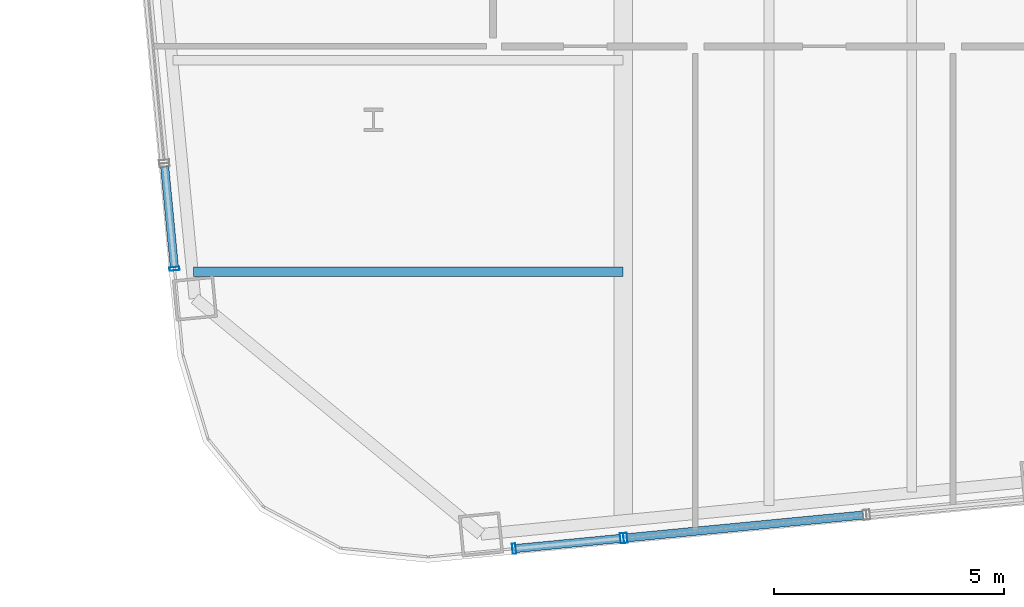
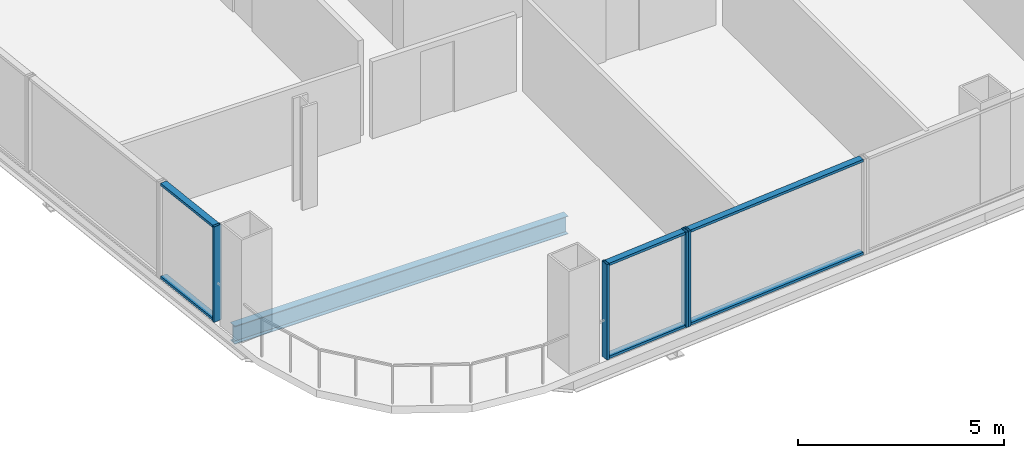
# One storey, part 2 of 27: 10 members, 1 beam, 3 elements without a shape of their own.
"""IFC4 building model written with IfcOpenShell, lengths in metres."""

from ifc_helpers import new_model, si_unit, direction, frame, origin, origin_2d, place, context, subcontext, project, spatial, hollow_rectangle, i_section, extrude, material, layer, layer_set, material_profile, profile_set, type_object, element, aggregate, save


model = new_model("IFC4")

# Units and contexts
model_context = context("Model", 3, precision=1e-05, world=origin(), true_north=direction((0.0, 1.0)))
body_context = subcontext(model_context, "Body", "Model", "MODEL_VIEW")
ifc_project = project(units=[si_unit("LENGTHUNIT", "METRE"), si_unit("AREAUNIT", "SQUARE_METRE"), si_unit("VOLUMEUNIT", "CUBIC_METRE"), si_unit("PLANEANGLEUNIT", "RADIAN"), si_unit("MASSUNIT", "GRAM", prefix="KILO")], contexts=[model_context])

# Site, building, storey
site_placement = place(None, origin())
site = spatial("IfcSite", under=ifc_project, at=site_placement, CompositionType="ELEMENT")
building_placement = place(site_placement, origin())
building = spatial("IfcBuilding", under=site, at=building_placement, Name="Qhalaya Broadcast Tower", CompositionType="ELEMENT")
storey_placement = place(building_placement, frame((0.0, 0.0, 84.699951171875)))
storey = spatial("IfcBuildingStorey", under=building, at=storey_placement, Name="L24", CompositionType="ELEMENT", Elevation=84.699951171875)

# Beam
ifc_material_1 = material(Name="Structural Steel ASTM A992 Grade 50", Category="steel")
ifc_material_profile_1 = material_profile(ifc_material_1, i_section(OverallWidth=0.2099609375, OverallDepth=0.535888671875, WebThickness=0.010986328125, FlangeThickness=0.017333984375, at=origin_2d()), Name="W21X68")
ifc_profile_set_1 = profile_set([ifc_material_profile_1], Name="Structural Steel ASTM A992 Grade 50")
beam_type = type_object("IfcBeamType", Name="Composite Floor Joist J02", PredefinedType="JOIST", material=ifc_profile_set_1)
beam_placement = place(storey_placement, frame((-18.7216796875, -16.5, -0.488037109375), z_axis=(1.0, 0.0, 0.0), x_axis=(0.0, 1.0, 0.0)))
element("IfcBeam", 1, at=beam_placement, inside=storey, type_object=beam_type, Name="L24 J02 L24-JWE1W-1", PredefinedType="JOIST", context=body_context, shape_type="SweptSolid", body=[
    extrude(i_section(OverallWidth=0.2099609375, OverallDepth=0.535888671875, WebThickness=0.010986328125, FlangeThickness=0.017333984375, at=origin_2d()), origin(), (0.0, 0.0, 1.0), 9.3466796875),
])

# Curtain wall, members
ifc_material_2 = material(Name="Fired Architectural Terracotta", Category="masonry")
ifc_layer_1 = layer(ifc_material_2, 0.219970703125, Name="Fired Architectural Terracotta")
ifc_layer_set_1 = layer_set([ifc_layer_1], Name="Fired Architectural Terracotta")
curtain_wall_type_1 = type_object("IfcCurtainWallType", Name="Block-Cap Unitised Terracotta Spandrel Wall CW-07", PredefinedType="NOTDEFINED", material=ifc_layer_set_1)
curtain_wall_1_placement = place(storey_placement, origin())
curtain_wall_1 = element("IfcCurtainWall", 2, at=curtain_wall_1_placement, inside=storey, type_object=curtain_wall_type_1, Name="L24 Unitised Curtain Wall L24-CW-S1", PredefinedType="NOTDEFINED")
ifc_material_3 = material(Name="Anodised Aluminium 6063-T6", Category="aluminium")
ifc_material_profile_2 = material_profile(ifc_material_3, hollow_rectangle(XDim=0.074951171875, YDim=0.219970703125, WallThickness=0.00390625, at=origin_2d()), Name="ALU-MUL 75x220x4")
ifc_profile_set_2 = profile_set([ifc_material_profile_2], Name="Anodised Aluminium 6063-T6")
member_type_1 = type_object("IfcMemberType", Name="Unitised Curtain-Wall Mullion M01", PredefinedType="MULLION", material=ifc_profile_set_2)
member_1_placement = place(storey_placement, frame((-11.74462890625, -22.52490234375, 0.0), z_axis=(0.0, 0.0, 1.0), x_axis=(0.99539620774, 0.09584565518, 0.0)))
member_1 = element("IfcMember", 3, at=member_1_placement, type_object=member_type_1, Name="CW-07 mullion 1", PredefinedType="MULLION", context=body_context, shape_type="SweptSolid", body=[
    extrude(hollow_rectangle(XDim=0.074951171875, YDim=0.219970703125, WallThickness=0.00390625, at=origin_2d()), origin(), (0.0, 0.0, 1.0), 2.830078125),
])
member_2_placement = place(storey_placement, frame((-9.3994140625, -22.299072265625, 0.0), z_axis=(0.0, 0.0, 1.0), x_axis=(0.99539620774, 0.09584565518, 0.0)))
member_2 = element("IfcMember", 4, at=member_2_placement, type_object=member_type_1, Name="CW-07 mullion 2", PredefinedType="MULLION", context=body_context, shape_type="SweptSolid", body=[
    extrude(hollow_rectangle(XDim=0.074951171875, YDim=0.219970703125, WallThickness=0.00390625, at=origin_2d()), origin(), (0.0, 0.0, 1.0), 2.830078125),
])

# Curtain wall, member
ifc_material_4 = material(Name="Solar-Control Low-E Triple Glazing", Category="glass")
ifc_layer_2 = layer(ifc_material_4, 0.219970703125, Name="Solar-Control Low-E Triple Glazing")
ifc_layer_set_2 = layer_set([ifc_layer_2], Name="Solar-Control Low-E Triple Glazing")
curtain_wall_type_2 = type_object("IfcCurtainWallType", Name="Even-Block 4-Storey Double-Module Curtain Wall CW-03", PredefinedType="NOTDEFINED", material=ifc_layer_set_2)
curtain_wall_2_placement = place(storey_placement, origin())
curtain_wall_2 = element("IfcCurtainWall", 5, at=curtain_wall_2_placement, inside=storey, type_object=curtain_wall_type_2, Name="L24 Unitised Curtain Wall L24-CW-S2", PredefinedType="NOTDEFINED")
member_3_placement = place(storey_placement, frame((-9.324951171875, -22.2919921875, 0.0), z_axis=(0.0, 0.0, 1.0), x_axis=(0.995395549991, 0.095852485923, 0.0)))
member_3 = element("IfcMember", 6, at=member_3_placement, type_object=member_type_1, Name="CW-03 mullion 1", PredefinedType="MULLION", context=body_context, shape_type="SweptSolid", body=[
    extrude(hollow_rectangle(XDim=0.074951171875, YDim=0.219970703125, WallThickness=0.00390625, at=origin_2d()), origin(), (0.0, 0.0, 1.0), 2.830078125),
])

curtain_wall_3_placement = place(storey_placement, origin())
curtain_wall_3 = element("IfcCurtainWall", 7, at=curtain_wall_3_placement, inside=storey, type_object=curtain_wall_type_1, Name="L24 Unitised Curtain Wall L24-CW-W7", PredefinedType="NOTDEFINED")
member_4_placement = place(storey_placement, frame((-19.129638671875, -16.437255859375, 0.0), z_axis=(0.0, 0.0, 1.0), x_axis=(0.09585164641, -0.995395630832, 0.0)))
member_4 = element("IfcMember", 8, at=member_4_placement, type_object=member_type_1, Name="CW-07 mullion 2", PredefinedType="MULLION", context=body_context, shape_type="SweptSolid", body=[
    extrude(hollow_rectangle(XDim=0.074951171875, YDim=0.219970703125, WallThickness=0.00390625, at=origin_2d()), origin(), (0.0, 0.0, 1.0), 2.830078125),
])

# Member
ifc_material_profile_3 = material_profile(ifc_material_3, hollow_rectangle(XDim=0.074951171875, YDim=0.179931640625, WallThickness=0.00390625, at=origin_2d()), Name="ALU-TRN 75x180x4")
ifc_profile_set_3 = profile_set([ifc_material_profile_3], Name="Anodised Aluminium 6063-T6")
member_type_2 = type_object("IfcMemberType", Name="Unitised Curtain-Wall Transom T01", PredefinedType="USERDEFINED", material=ifc_profile_set_3)
member_5_placement = place(storey_placement, frame((-11.707275390625, -22.521484375, 0.03759765625), z_axis=(0.995390970233, 0.095900033261, 0.0), x_axis=(0.0, 0.0, 1.0)))
member_5 = element("IfcMember", 9, at=member_5_placement, type_object=member_type_2, Name="CW-07 transom 1.1", ObjectType="TRANSOM", PredefinedType="USERDEFINED", context=body_context, shape_type="SweptSolid", body=[
    extrude(hollow_rectangle(XDim=0.074951171875, YDim=0.179931640625, WallThickness=0.00390625, at=origin_2d()), origin(), (0.0, 0.0, 1.0), 2.281005859375),
])

member_6_placement = place(storey_placement, frame((-11.707275390625, -22.521484375, 2.79248046875), z_axis=(0.995390970233, 0.095900033261, 0.0), x_axis=(0.0, 0.0, 1.0)))
member_6 = element("IfcMember", 10, at=member_6_placement, type_object=member_type_2, Name="CW-07 transom 1.2", ObjectType="TRANSOM", PredefinedType="USERDEFINED", context=body_context, shape_type="SweptSolid", body=[
    extrude(hollow_rectangle(XDim=0.074951171875, YDim=0.179931640625, WallThickness=0.00390625, at=origin_2d()), origin(), (0.0, 0.0, 1.0), 2.281005859375),
])

aggregate(curtain_wall_1, [member_1, member_2, member_5, member_6])

member_7_placement = place(storey_placement, frame((-9.28759765625, -22.288330078125, 0.03759765625), z_axis=(0.995395309195, 0.095854986479, 0.0), x_axis=(0.0, 0.0, 1.0)))
member_7 = element("IfcMember", 11, at=member_7_placement, type_object=member_type_2, Name="CW-03 transom 1.1", ObjectType="TRANSOM", PredefinedType="USERDEFINED", context=body_context, shape_type="SweptSolid", body=[
    extrude(hollow_rectangle(XDim=0.074951171875, YDim=0.179931640625, WallThickness=0.00390625, at=origin_2d()), origin(), (0.0, 0.0, 1.0), 5.155029296875),
])

member_8_placement = place(storey_placement, frame((-9.28759765625, -22.288330078125, 2.79248046875), z_axis=(0.995395309195, 0.095854986479, 0.0), x_axis=(0.0, 0.0, 1.0)))
member_8 = element("IfcMember", 12, at=member_8_placement, type_object=member_type_2, Name="CW-03 transom 1.2", ObjectType="TRANSOM", PredefinedType="USERDEFINED", context=body_context, shape_type="SweptSolid", body=[
    extrude(hollow_rectangle(XDim=0.074951171875, YDim=0.179931640625, WallThickness=0.00390625, at=origin_2d()), origin(), (0.0, 0.0, 1.0), 5.155029296875),
])

aggregate(curtain_wall_2, [member_3, member_7, member_8])

member_9_placement = place(storey_placement, frame((-19.343017578125, -14.219970703125, 0.03759765625), z_axis=(0.095761263253, -0.995404330139, 0.0), x_axis=(0.0, 0.0, 1.0)))
member_9 = element("IfcMember", 13, at=member_9_placement, type_object=member_type_2, Name="CW-07 transom 1.1", ObjectType="TRANSOM", PredefinedType="USERDEFINED", context=body_context, shape_type="SweptSolid", body=[
    extrude(hollow_rectangle(XDim=0.074951171875, YDim=0.179931640625, WallThickness=0.00390625, at=origin_2d()), origin(), (0.0, 0.0, 1.0), 2.18994140625),
])

member_10_placement = place(storey_placement, frame((-19.343017578125, -14.219970703125, 2.79248046875), z_axis=(0.095761263253, -0.995404330139, 0.0), x_axis=(0.0, 0.0, 1.0)))
member_10 = element("IfcMember", 14, at=member_10_placement, type_object=member_type_2, Name="CW-07 transom 1.2", ObjectType="TRANSOM", PredefinedType="USERDEFINED", context=body_context, shape_type="SweptSolid", body=[
    extrude(hollow_rectangle(XDim=0.074951171875, YDim=0.179931640625, WallThickness=0.00390625, at=origin_2d()), origin(), (0.0, 0.0, 1.0), 2.18994140625),
])

aggregate(curtain_wall_3, [member_4, member_9, member_10])

save(model, "model.ifc")
